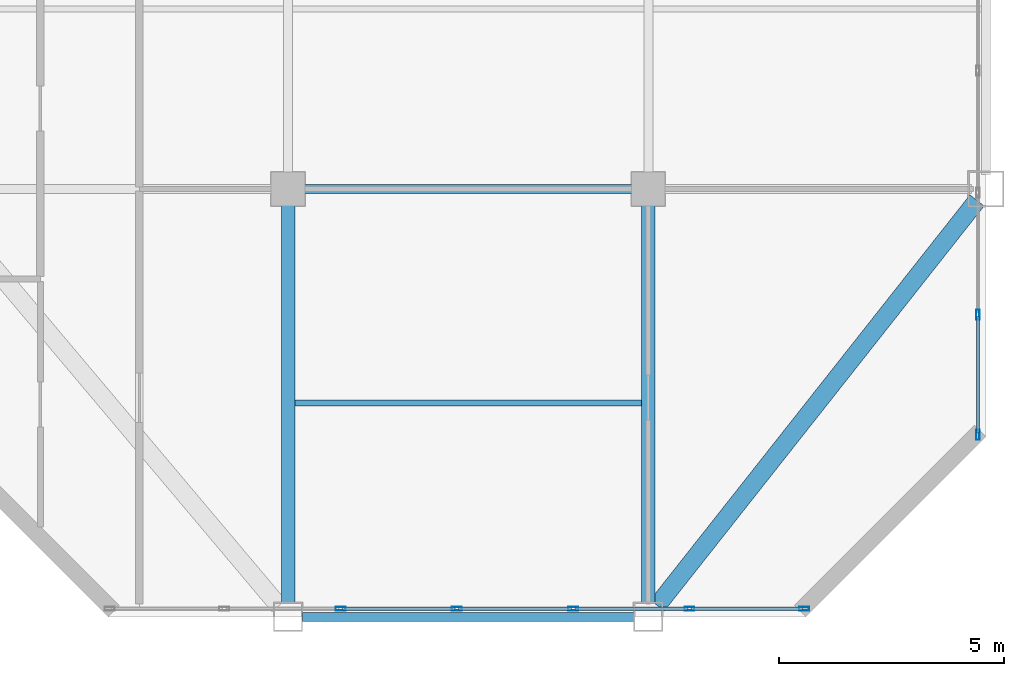
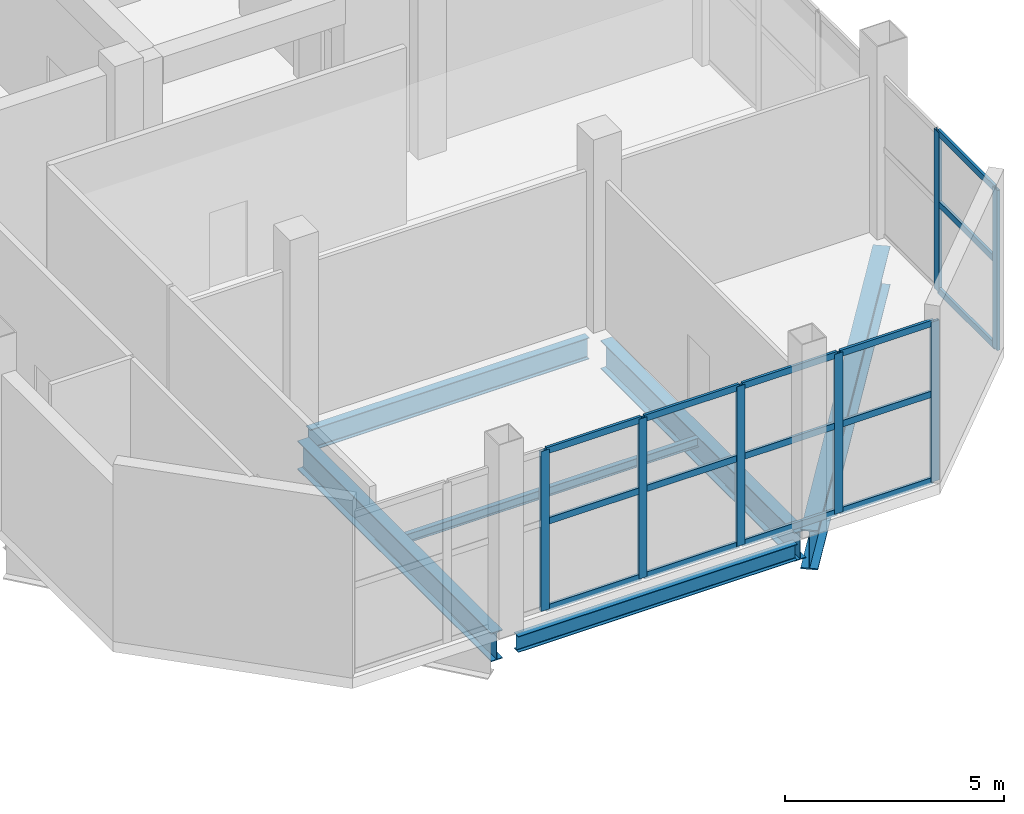
# One storey, part 8 of 16: 22 members, 6 beams, 2 elements without a shape of their own.
"""IFC4 building model written with IfcOpenShell, lengths in metres."""

import ifcopenshell
import ifcopenshell.guid

model = None  # the IFC model being written
_history = None  # IfcOwnerHistory: only IFC2X3 demands one
_inside = {}  # id of a spatial element -> (the spatial element, [elements in it])
_under = {}  # id of a project, library or spatial element -> (it, [spatial elements below it])
_declared = {}  # id of a project -> (the project, [libraries it declares])
_typed = {}  # id of a type object -> (the type object, [elements of that type])
_made_of = {}  # id of a material, layer set ... -> (it, [elements and type objects made of it])


def new_model(schema):
    """Start an empty IFC model of exactly this schema.

    Asked for "IFC4X3", IfcOpenShell would pick the latest addendum, in which some entities
    have other attributes; the version numbers below select the first issue.
    IFC2X3 requires an IfcOwnerHistory on every rooted entity: one is made here for all.
    """
    global model, _history
    if schema == "IFC4X3":
        model = ifcopenshell.file(schema_version=(4, 3, 0, 0))
    else:
        model = ifcopenshell.file(schema=schema)
    _inside.clear()
    _under.clear()
    _declared.clear()
    _typed.clear()
    _made_of.clear()
    _history = None
    if model.schema == "IFC2X3":
        org = make("IfcOrganization", Name="unknown")
        user = make(
            "IfcPersonAndOrganization",
            ThePerson=make("IfcPerson", FamilyName="unknown"),
            TheOrganization=org,
        )
        app = make(
            "IfcApplication",
            ApplicationDeveloper=org,
            Version="unknown",
            ApplicationFullName="unknown",
            ApplicationIdentifier="unknown",
        )
        _history = make(
            "IfcOwnerHistory",
            OwningUser=user,
            OwningApplication=app,
            ChangeAction="ADDED",
            CreationDate=0,
        )
    return model


def make(cls, **values):
    """One entity of the class cls with the attributes given. An attribute that is None is left unset."""
    return model.create_entity(
        cls, **{name: value for name, value in values.items() if value is not None}
    )


def rooted(cls, **values):
    """An entity with a GlobalId (a new one), such as an element, a storey or a relation."""
    return make(cls, GlobalId=ifcopenshell.guid.new(), OwnerHistory=_history, **values)


def si_unit(unit_type, name, prefix=None):
    """IfcSIUnit, for example si_unit("LENGTHUNIT", "METRE", prefix="MILLI")."""
    return make("IfcSIUnit", UnitType=unit_type, Prefix=prefix, Name=name)


def assignment(units):
    """IfcUnitAssignment: the units of a project."""
    return None if units is None else make("IfcUnitAssignment", Units=units)


def point(xyz):
    """IfcCartesianPoint."""
    return None if xyz is None else make("IfcCartesianPoint", Coordinates=xyz)


def direction(xyz):
    """IfcDirection."""
    return None if xyz is None else make("IfcDirection", DirectionRatios=xyz)


def frame(location, z_axis=None, x_axis=None):
    """IfcAxis2Placement3D, a coordinate frame: its origin and axes. An axis left out is left unset."""
    return make(
        "IfcAxis2Placement3D",
        Location=point(location),
        Axis=direction(z_axis),
        RefDirection=direction(x_axis),
    )


def frame_2d(location, x_axis=None):
    """IfcAxis2Placement2D, a coordinate frame in the plane: its origin and x axis."""
    return make(
        "IfcAxis2Placement2D", Location=point(location), RefDirection=direction(x_axis)
    )


def origin():
    """The frame at (0, 0, 0) with its axes left unset."""
    return frame((0.0, 0.0, 0.0))


def origin_2d():
    """The frame at (0, 0) in the plane with its x axis left unset."""
    return frame_2d((0.0, 0.0))


def place(relative_to, where):
    """IfcLocalPlacement: puts the frame where relative to a parent placement (None: the world)."""
    return make(
        "IfcLocalPlacement", PlacementRelTo=relative_to, RelativePlacement=where
    )


def context(
    kind, dimensions, precision=None, world=None, true_north=None, identifier=None
):
    """IfcGeometricRepresentationContext, for example the 3D "Model" context."""
    return make(
        "IfcGeometricRepresentationContext",
        ContextIdentifier=identifier,
        ContextType=kind,
        CoordinateSpaceDimension=dimensions,
        Precision=precision,
        WorldCoordinateSystem=world,
        TrueNorth=true_north,
    )


def subcontext(parent, identifier, kind, view, scale=None):
    """IfcGeometricRepresentationSubContext, for example "Body" below "Model"."""
    return make(
        "IfcGeometricRepresentationSubContext",
        ContextIdentifier=identifier,
        ContextType=kind,
        ParentContext=parent,
        TargetScale=scale,
        TargetView=view,
    )


def project(units=None, contexts=None):
    """IfcProject with its units and contexts."""
    return rooted(
        "IfcProject",
        Name="project",
        RepresentationContexts=contexts,
        UnitsInContext=assignment(units),
    )


def spatial(cls, under=None, at=None, **own):
    """A site, building, storey or space (cls), placed at a placement, below another one or the project."""
    s = rooted(cls, ObjectPlacement=at, **own)
    if under is not None:
        _under.setdefault(under.id(), (under, []))[1].append(s)
    return s


def profile(cls, at=None, kind="AREA", **sizes):
    """A parametric profile (cls). Its sizes go by their IFC names, for example OverallWidth=200.0."""
    return make(cls, ProfileType=kind, Position=at, **sizes)


def hollow_rectangle(**sizes):
    """IfcRectangleHollowProfileDef."""
    return profile("IfcRectangleHollowProfileDef", **sizes)


def i_section(**sizes):
    """IfcIShapeProfileDef."""
    return profile("IfcIShapeProfileDef", **sizes)


def extrude(swept, where, along, depth):
    """IfcExtrudedAreaSolid: the profile swept, set in the frame where, extruded along a direction by depth."""
    return make(
        "IfcExtrudedAreaSolid",
        SweptArea=swept,
        Position=where,
        ExtrudedDirection=direction(along),
        Depth=depth,
    )


def shape(context_of_items, identifier, shape_type, items):
    """IfcShapeRepresentation: the items that make up one representation, for example the "Body"."""
    return make(
        "IfcShapeRepresentation",
        ContextOfItems=context_of_items,
        RepresentationIdentifier=identifier,
        RepresentationType=shape_type,
        Items=items,
    )


def material(Name=None, Category=None):
    """IfcMaterial."""
    return make("IfcMaterial", Name=Name, Category=Category)


def layer(
    of_material, thickness, ventilated=None, Name=None, Category=None, Priority=None
):
    """IfcMaterialLayer: one layer of a wall or slab, of a material (None: an air gap)."""
    return make(
        "IfcMaterialLayer",
        Material=of_material,
        LayerThickness=thickness,
        IsVentilated=ventilated,
        Name=Name,
        Category=Category,
        Priority=Priority,
    )


def layer_set(layers, Name=None):
    """IfcMaterialLayerSet."""
    return make("IfcMaterialLayerSet", MaterialLayers=layers, LayerSetName=Name)


def material_profile(
    of_material, cross_section, Name=None, Category=None, Priority=None
):
    """IfcMaterialProfile: a cross section and its material."""
    return make(
        "IfcMaterialProfile",
        Name=Name,
        Material=of_material,
        Profile=cross_section,
        Priority=Priority,
        Category=Category,
    )


def profile_set(profiles, Name=None, composite=None):
    """IfcMaterialProfileSet."""
    return make(
        "IfcMaterialProfileSet",
        Name=Name,
        MaterialProfiles=profiles,
        CompositeProfile=composite,
    )


def made_of(thing, what):
    """Note that an element or type object is made of a material, layer set ...; save() writes the relation."""
    if what is not None:
        _made_of.setdefault(what.id(), (what, []))[1].append(thing)
    return thing


def type_object(cls, material=None, **own):
    """A type object (cls), such as IfcWallType, which elements share."""
    return made_of(rooted(cls, **own), material)


def element(
    cls,
    number,
    at=None,
    inside=None,
    cuts=None,
    type_object=None,
    material=None,
    context=None,
    identifier="Body",
    shape_type=None,
    held_by="IfcProductDefinitionShape",
    body=None,
    shapes=None,
    **own,
):
    """One element of the class cls, such as IfcWall. Its Tag is "e" and its number.

    at: its placement. inside: the storey or other place that contains it. cuts: it is an
    opening in that element (IfcRelVoidsElement). A single representation is given by context,
    identifier, shape_type and body (its items); several are given by shapes. held_by: the class
    of the entity that holds the representations. save() writes the other relations.
    """
    e = rooted(cls, Tag="e%d" % number, ObjectPlacement=at, **own)
    if body is not None:
        shapes = [shape(context, identifier, shape_type, body)]
    if shapes is not None:
        e.Representation = make(held_by, Representations=shapes)
    if inside is not None:
        _inside.setdefault(inside.id(), (inside, []))[1].append(e)
    if cuts is not None:
        rooted(
            "IfcRelVoidsElement", RelatingBuildingElement=cuts, RelatedOpeningElement=e
        )
    if type_object is not None:
        _typed.setdefault(type_object.id(), (type_object, []))[1].append(e)
    return made_of(e, material)


def aggregate(whole, parts):
    """IfcRelAggregates: a whole, such as a stair, and the parts it consists of."""
    return rooted("IfcRelAggregates", RelatingObject=whole, RelatedObjects=parts)


def save(model, path):
    """Write the relations noted so far, then the file.

    IfcRelAggregates (storeys below a building ...), IfcRelContainedInSpatialStructure (elements
    in a storey), IfcRelDefinesByType, IfcRelAssociatesMaterial and IfcRelDeclares: one each for
    every whole, place, type object, material and project.
    """
    for whole, parts in _under.values():
        aggregate(whole, parts)
    for where, things in _inside.values():
        rooted(
            "IfcRelContainedInSpatialStructure",
            RelatedElements=things,
            RelatingStructure=where,
        )
    for kind, things in _typed.values():
        rooted("IfcRelDefinesByType", RelatedObjects=things, RelatingType=kind)
    for what, things in _made_of.values():
        rooted("IfcRelAssociatesMaterial", RelatedObjects=things, RelatingMaterial=what)
    for by, libraries in _declared.values():
        rooted("IfcRelDeclares", RelatingContext=by, RelatedDefinitions=libraries)
    model.write(path)


model = new_model("IFC4")

# Units and contexts
model_context = context("Model", 3, precision=1e-05, world=origin(), true_north=direction((0.0, 1.0)))
body_context = subcontext(model_context, "Body", "Model", "MODEL_VIEW")
ifc_project = project(units=[si_unit("LENGTHUNIT", "METRE"), si_unit("AREAUNIT", "SQUARE_METRE"), si_unit("VOLUMEUNIT", "CUBIC_METRE"), si_unit("PLANEANGLEUNIT", "RADIAN"), si_unit("MASSUNIT", "GRAM", prefix="KILO")], contexts=[model_context])

# Site, building, storey
site_placement = place(None, origin())
site = spatial("IfcSite", under=ifc_project, at=site_placement, CompositionType="ELEMENT")
building_placement = place(site_placement, origin())
building = spatial("IfcBuilding", under=site, at=building_placement, Name="Qianrong Seaharbour Tower", CompositionType="ELEMENT")
storey_placement = place(building_placement, frame((0.0, 0.0, 378.39990234375)))
storey = spatial("IfcBuildingStorey", under=building, at=storey_placement, Name="L91", CompositionType="ELEMENT", Elevation=378.39990234375)

# Beams
ifc_material_1 = material(Name="Structural steel SN490B", Category="steel")
ifc_material_profile_1 = material_profile(ifc_material_1, i_section(OverallWidth=0.199951171875, OverallDepth=0.60009765625, WebThickness=0.010986328125, FlangeThickness=0.01708984375, FilletRadius=0.02197265625, at=origin_2d()), Name="H600x200x11x17")
ifc_profile_set_1 = profile_set([ifc_material_profile_1], Name="Structural steel SN490B")
beam_type_1 = type_object("IfcBeamType", Name="BM-G-600", PredefinedType="BEAM", material=ifc_profile_set_1)
beam_1_placement = place(storey_placement, frame((48.820068359375, 28.0, -0.58984375), z_axis=(1.0, 0.0, 0.0), x_axis=(0.0, 1.0, 0.0)))
element("IfcBeam", 1, at=beam_1_placement, inside=storey, type_object=beam_type_1, Name="L91 Primary Girder GE G7-G8", PredefinedType="BEAM", context=body_context, shape_type="SweptSolid", body=[
    extrude(i_section(OverallWidth=0.199951171875, OverallDepth=0.60009765625, WebThickness=0.010986328125, FlangeThickness=0.01708984375, FilletRadius=0.02197265625, at=origin_2d()), origin(), (0.0, 0.0, 1.0), 7.35986328125),
])
ifc_material_profile_2 = material_profile(ifc_material_1, i_section(OverallWidth=0.300048828125, OverallDepth=0.800048828125, WebThickness=0.013916015625, FlangeThickness=0.02587890625, FilletRadius=0.028076171875, at=origin_2d()), Name="H800x300x14x26")
ifc_profile_set_2 = profile_set([ifc_material_profile_2], Name="Structural steel SN490B")
beam_type_2 = type_object("IfcBeamType", Name="BM-G-800", PredefinedType="BEAM", material=ifc_profile_set_2)
for number, where, z_axis, x_axis, name in (
    (2, (48.5, 18.820068359375, -0.68994140625), (0.0, 1.0, 0.0), (-1.0, 0.0, 0.0), "L91 Primary Girder G7 GD-GE"),
    (3, (56.5, 18.820068359375, -0.68994140625), (0.0, 1.0, 0.0), (-1.0, 0.0, 0.0), "L91 Primary Girder G8 GD-GE"),
):
    element("IfcBeam", number, at=place(storey_placement, frame(where, z_axis=z_axis, x_axis=x_axis)), inside=storey, type_object=beam_type_2, Name=name, PredefinedType="BEAM", context=body_context, shape_type="SweptSolid", body=[
        extrude(i_section(OverallWidth=0.300048828125, OverallDepth=0.800048828125, WebThickness=0.013916015625, FlangeThickness=0.02587890625, FilletRadius=0.028076171875, at=origin_2d()), origin(), (0.0, 0.0, 1.0), 8.85986328125),
    ])
ifc_material_2 = material(Name="Structural steel SN400B", Category="steel")
ifc_material_profile_3 = material_profile(ifc_material_2, i_section(OverallWidth=0.125, OverallDepth=0.25, WebThickness=0.006103515625, FlangeThickness=0.009033203125, FilletRadius=0.011962890625, at=origin_2d()), Name="H250x125x6x9")
ifc_profile_set_3 = profile_set([ifc_material_profile_3], Name="Structural steel SN400B")
beam_type_3 = type_object("IfcBeamType", Name="BM-J-250", PredefinedType="JOIST", material=ifc_profile_set_3)
beam_2_placement = place(storey_placement, frame((48.64990234375, 23.25, -0.414794921875), z_axis=(1.0, 0.0, 0.0), x_axis=(0.0, 1.0, 0.0)))
element("IfcBeam", 4, at=beam_2_placement, inside=storey, type_object=beam_type_3, Name="L91 Composite Floor Joist G7-G8/GD-GE", PredefinedType="JOIST", context=body_context, shape_type="SweptSolid", body=[
    extrude(i_section(OverallWidth=0.125, OverallDepth=0.25, WebThickness=0.006103515625, FlangeThickness=0.009033203125, FilletRadius=0.011962890625, at=origin_2d()), origin(), (0.0, 0.0, 1.0), 7.7001953125),
])
ifc_material_profile_4 = material_profile(ifc_material_2, i_section(OverallWidth=0.199951171875, OverallDepth=0.449951171875, WebThickness=0.009033203125, FlangeThickness=0.013916015625, FilletRadius=0.01806640625, at=origin_2d()), Name="H450x200x9x14")
ifc_profile_set_4 = profile_set([ifc_material_profile_4], Name="Structural steel SN400B")
beam_type_4 = type_object("IfcBeamType", Name="BM-SP-450", PredefinedType="SPANDREL", material=ifc_profile_set_4)
beam_3_placement = place(storey_placement, frame((48.820068359375, 18.5, -0.514892578125), z_axis=(1.0, 0.0, 0.0), x_axis=(0.0, 1.0, 0.0)))
element("IfcBeam", 5, at=beam_3_placement, inside=storey, type_object=beam_type_4, Name="L91 Spandrel Girder GD G7-G8", PredefinedType="SPANDREL", context=body_context, shape_type="SweptSolid", body=[
    extrude(i_section(OverallWidth=0.199951171875, OverallDepth=0.449951171875, WebThickness=0.009033203125, FlangeThickness=0.013916015625, FilletRadius=0.01806640625, at=origin_2d()), origin(), (0.0, 0.0, 1.0), 7.35986328125),
])
ifc_material_profile_5 = material_profile(ifc_material_1, i_section(OverallWidth=0.39990234375, OverallDepth=1.10009765625, WebThickness=0.02001953125, FlangeThickness=0.035888671875, at=origin_2d()), Name="BH1100x400x20x36")
ifc_profile_set_5 = profile_set([ifc_material_profile_5], Name="Structural steel SN490B")
beam_type_5 = type_object("IfcBeamType", Name="BM-TG-1100", PredefinedType="BEAM", material=ifc_profile_set_5)
beam_4_placement = place(storey_placement, frame((56.6982421875, 18.751220703125, -0.83984375), z_axis=(0.619653955715, 0.784875133487, 0.0), x_axis=(-0.784875133487, 0.619653955715, 0.0)))
element("IfcBeam", 6, at=beam_4_placement, inside=storey, type_object=beam_type_5, Name="L91 Chamfer Corner Spandrel Girder G9/GD", PredefinedType="BEAM", context=body_context, shape_type="SweptSolid", body=[
    extrude(i_section(OverallWidth=0.39990234375, OverallDepth=1.10009765625, WebThickness=0.02001953125, FlangeThickness=0.035888671875, at=origin_2d()), origin(), (0.0, 0.0, 1.0), 11.463623046875),
])

# Curtain wall, members
ifc_material_3 = material(Name="Anodised aluminium 6063-T6 and laminated low-e glass", Category="aluminium")
ifc_layer = layer(ifc_material_3, 0.239990234375)
ifc_layer_set = layer_set([ifc_layer], Name="Anodised aluminium 6063-T6 and laminated low-e glass")
curtain_wall_type = type_object("IfcCurtainWallType", Name="CW-SYS-6", PredefinedType="NOTDEFINED", material=ifc_layer_set)
curtain_wall_1_placement = place(storey_placement, origin())
curtain_wall_1 = element("IfcCurtainWall", 7, at=curtain_wall_1_placement, inside=storey, type_object=curtain_wall_type, Name="L91 TMD Exhibition Lantern Translucent Curtain Wall EAST_WING", PredefinedType="NOTDEFINED")
ifc_material_4 = material(Name="Extruded aluminium 6063-T6", Category="aluminium")
ifc_material_profile_6 = material_profile(ifc_material_4, hollow_rectangle(XDim=0.080078125, YDim=0.219970703125, WallThickness=0.0048828125, at=origin_2d()), Name="ALU-MUL-220x80x5")
ifc_profile_set_6 = profile_set([ifc_material_profile_6], Name="Extruded aluminium 6063-T6")
member_type_1 = type_object("IfcMemberType", Name="CW-MUL-220", PredefinedType="MULLION", material=ifc_profile_set_6)
member_1_placement = place(storey_placement, frame((63.820068359375, 25.2099609375, 0.0), z_axis=(0.0, 0.0, 1.0), x_axis=(1.0, 0.0, 0.0)))
member_1 = element("IfcMember", 8, at=member_1_placement, type_object=member_type_1, Name="CW-6 mullion 5", PredefinedType="MULLION", context=body_context, shape_type="SweptSolid", body=[
    extrude(hollow_rectangle(XDim=0.080078125, YDim=0.219970703125, WallThickness=0.0048828125, at=origin_2d()), origin(), (0.0, 0.0, 1.0), 4.460205078125),
])
member_2_placement = place(storey_placement, frame((63.820068359375, 22.5400390625, 0.0), z_axis=(0.0, 0.0, 1.0), x_axis=(1.0, 0.0, 0.0)))
member_2 = element("IfcMember", 9, at=member_2_placement, type_object=member_type_1, Name="CW-6 mullion 6", PredefinedType="MULLION", context=body_context, shape_type="SweptSolid", body=[
    extrude(hollow_rectangle(XDim=0.080078125, YDim=0.219970703125, WallThickness=0.0048828125, at=origin_2d()), origin(), (0.0, 0.0, 1.0), 4.460205078125),
])

curtain_wall_2_placement = place(storey_placement, origin())
curtain_wall_2 = element("IfcCurtainWall", 10, at=curtain_wall_2_placement, inside=storey, type_object=curtain_wall_type, Name="L91 TMD Exhibition Lantern Translucent Curtain Wall SOUTH_TIP", PredefinedType="NOTDEFINED")
member_3_placement = place(storey_placement, frame((59.9599609375, 18.679931640625, 0.0), z_axis=(0.0, 0.0, 1.0), x_axis=(0.0, -1.0, 0.0)))
member_3 = element("IfcMember", 11, at=member_3_placement, type_object=member_type_1, Name="CW-6 mullion 1", PredefinedType="MULLION", context=body_context, shape_type="SweptSolid", body=[
    extrude(hollow_rectangle(XDim=0.080078125, YDim=0.219970703125, WallThickness=0.0048828125, at=origin_2d()), origin(), (0.0, 0.0, 1.0), 4.460205078125),
])
member_4_placement = place(storey_placement, frame((57.416748046875, 18.679931640625, 0.0), z_axis=(0.0, 0.0, 1.0), x_axis=(0.0, -1.0, 0.0)))
member_4 = element("IfcMember", 12, at=member_4_placement, type_object=member_type_1, Name="CW-6 mullion 2", PredefinedType="MULLION", context=body_context, shape_type="SweptSolid", body=[
    extrude(hollow_rectangle(XDim=0.080078125, YDim=0.219970703125, WallThickness=0.0048828125, at=origin_2d()), origin(), (0.0, 0.0, 1.0), 4.460205078125),
])
member_5_placement = place(storey_placement, frame((54.833251953125, 18.679931640625, 0.0), z_axis=(0.0, 0.0, 1.0), x_axis=(0.0, -1.0, 0.0)))
member_5 = element("IfcMember", 13, at=member_5_placement, type_object=member_type_1, Name="CW-6 mullion 3", PredefinedType="MULLION", context=body_context, shape_type="SweptSolid", body=[
    extrude(hollow_rectangle(XDim=0.080078125, YDim=0.219970703125, WallThickness=0.0048828125, at=origin_2d()), origin(), (0.0, 0.0, 1.0), 4.460205078125),
])
member_6_placement = place(storey_placement, frame((52.25, 18.679931640625, 0.0), z_axis=(0.0, 0.0, 1.0), x_axis=(0.0, -1.0, 0.0)))
member_6 = element("IfcMember", 14, at=member_6_placement, type_object=member_type_1, Name="CW-6 mullion 4", PredefinedType="MULLION", context=body_context, shape_type="SweptSolid", body=[
    extrude(hollow_rectangle(XDim=0.080078125, YDim=0.219970703125, WallThickness=0.0048828125, at=origin_2d()), origin(), (0.0, 0.0, 1.0), 4.460205078125),
])
member_7_placement = place(storey_placement, frame((49.666748046875, 18.679931640625, 0.0), z_axis=(0.0, 0.0, 1.0), x_axis=(0.0, -1.0, 0.0)))
member_7 = element("IfcMember", 15, at=member_7_placement, type_object=member_type_1, Name="CW-6 mullion 5", PredefinedType="MULLION", context=body_context, shape_type="SweptSolid", body=[
    extrude(hollow_rectangle(XDim=0.080078125, YDim=0.219970703125, WallThickness=0.0048828125, at=origin_2d()), origin(), (0.0, 0.0, 1.0), 4.460205078125),
])

# Member
ifc_material_profile_7 = material_profile(ifc_material_4, hollow_rectangle(XDim=0.070068359375, YDim=0.179931640625, WallThickness=0.00390625, at=origin_2d()), Name="ALU-TRN-180x70x4")
ifc_profile_set_7 = profile_set([ifc_material_profile_7], Name="Extruded aluminium 6063-T6")
member_type_2 = type_object("IfcMemberType", Name="CW-TRN-180", PredefinedType="USERDEFINED", material=ifc_profile_set_7)
member_8_placement = place(storey_placement, frame((63.820068359375, 25.169921875, 0.03515625), z_axis=(0.0, -1.0, 0.0), x_axis=(1.0, 0.0, 0.0)))
member_8 = element("IfcMember", 16, at=member_8_placement, type_object=member_type_2, Name="CW-6 transom 5.1", ObjectType="TRANSOM", PredefinedType="USERDEFINED", context=body_context, shape_type="SweptSolid", body=[
    extrude(hollow_rectangle(XDim=0.070068359375, YDim=0.179931640625, WallThickness=0.00390625, at=origin_2d()), origin(), (0.0, 0.0, 1.0), 2.58984375),
])

member_9_placement = place(storey_placement, frame((63.820068359375, 25.169921875, 2.453125), z_axis=(0.0, -1.0, 0.0), x_axis=(1.0, 0.0, 0.0)))
member_9 = element("IfcMember", 17, at=member_9_placement, type_object=member_type_2, Name="CW-6 transom 5.2", ObjectType="TRANSOM", PredefinedType="USERDEFINED", context=body_context, shape_type="SweptSolid", body=[
    extrude(hollow_rectangle(XDim=0.070068359375, YDim=0.179931640625, WallThickness=0.00390625, at=origin_2d()), origin(), (0.0, 0.0, 1.0), 2.58984375),
])

member_10_placement = place(storey_placement, frame((63.820068359375, 25.169921875, 4.425048828125), z_axis=(0.0, -1.0, 0.0), x_axis=(1.0, 0.0, 0.0)))
member_10 = element("IfcMember", 18, at=member_10_placement, type_object=member_type_2, Name="CW-6 transom 5.3", ObjectType="TRANSOM", PredefinedType="USERDEFINED", context=body_context, shape_type="SweptSolid", body=[
    extrude(hollow_rectangle(XDim=0.070068359375, YDim=0.179931640625, WallThickness=0.00390625, at=origin_2d()), origin(), (0.0, 0.0, 1.0), 2.58984375),
])

aggregate(curtain_wall_1, [member_1, member_2, member_8, member_9, member_10])

member_11_placement = place(storey_placement, frame((59.919921875, 18.679931640625, 0.03515625), z_axis=(-1.0, 0.0, 0.0), x_axis=(0.0, -1.0, 0.0)))
member_11 = element("IfcMember", 19, at=member_11_placement, type_object=member_type_2, Name="CW-6 transom 1.1", ObjectType="TRANSOM", PredefinedType="USERDEFINED", context=body_context, shape_type="SweptSolid", body=[
    extrude(hollow_rectangle(XDim=0.070068359375, YDim=0.179931640625, WallThickness=0.00390625, at=origin_2d()), origin(), (0.0, 0.0, 1.0), 2.463134765625),
])

member_12_placement = place(storey_placement, frame((59.919921875, 18.679931640625, 2.453125), z_axis=(-1.0, 0.0, 0.0), x_axis=(0.0, -1.0, 0.0)))
member_12 = element("IfcMember", 20, at=member_12_placement, type_object=member_type_2, Name="CW-6 transom 1.2", ObjectType="TRANSOM", PredefinedType="USERDEFINED", context=body_context, shape_type="SweptSolid", body=[
    extrude(hollow_rectangle(XDim=0.070068359375, YDim=0.179931640625, WallThickness=0.00390625, at=origin_2d()), origin(), (0.0, 0.0, 1.0), 2.463134765625),
])

member_13_placement = place(storey_placement, frame((59.919921875, 18.679931640625, 4.425048828125), z_axis=(-1.0, 0.0, 0.0), x_axis=(0.0, -1.0, 0.0)))
member_13 = element("IfcMember", 21, at=member_13_placement, type_object=member_type_2, Name="CW-6 transom 1.3", ObjectType="TRANSOM", PredefinedType="USERDEFINED", context=body_context, shape_type="SweptSolid", body=[
    extrude(hollow_rectangle(XDim=0.070068359375, YDim=0.179931640625, WallThickness=0.00390625, at=origin_2d()), origin(), (0.0, 0.0, 1.0), 2.463134765625),
])

member_14_placement = place(storey_placement, frame((57.376708984375, 18.679931640625, 0.03515625), z_axis=(-1.0, 0.0, 0.0), x_axis=(0.0, -1.0, 0.0)))
member_14 = element("IfcMember", 22, at=member_14_placement, type_object=member_type_2, Name="CW-6 transom 2.1", ObjectType="TRANSOM", PredefinedType="USERDEFINED", context=body_context, shape_type="SweptSolid", body=[
    extrude(hollow_rectangle(XDim=0.070068359375, YDim=0.179931640625, WallThickness=0.00390625, at=origin_2d()), origin(), (0.0, 0.0, 1.0), 2.50341796875),
])

member_15_placement = place(storey_placement, frame((57.376708984375, 18.679931640625, 2.453125), z_axis=(-1.0, 0.0, 0.0), x_axis=(0.0, -1.0, 0.0)))
member_15 = element("IfcMember", 23, at=member_15_placement, type_object=member_type_2, Name="CW-6 transom 2.2", ObjectType="TRANSOM", PredefinedType="USERDEFINED", context=body_context, shape_type="SweptSolid", body=[
    extrude(hollow_rectangle(XDim=0.070068359375, YDim=0.179931640625, WallThickness=0.00390625, at=origin_2d()), origin(), (0.0, 0.0, 1.0), 2.50341796875),
])

member_16_placement = place(storey_placement, frame((57.376708984375, 18.679931640625, 4.425048828125), z_axis=(-1.0, 0.0, 0.0), x_axis=(0.0, -1.0, 0.0)))
member_16 = element("IfcMember", 24, at=member_16_placement, type_object=member_type_2, Name="CW-6 transom 2.3", ObjectType="TRANSOM", PredefinedType="USERDEFINED", context=body_context, shape_type="SweptSolid", body=[
    extrude(hollow_rectangle(XDim=0.070068359375, YDim=0.179931640625, WallThickness=0.00390625, at=origin_2d()), origin(), (0.0, 0.0, 1.0), 2.50341796875),
])

member_17_placement = place(storey_placement, frame((54.793212890625, 18.679931640625, 0.03515625), z_axis=(-1.0, 0.0, 0.0), x_axis=(0.0, -1.0, 0.0)))
member_17 = element("IfcMember", 25, at=member_17_placement, type_object=member_type_2, Name="CW-6 transom 3.1", ObjectType="TRANSOM", PredefinedType="USERDEFINED", context=body_context, shape_type="SweptSolid", body=[
    extrude(hollow_rectangle(XDim=0.070068359375, YDim=0.179931640625, WallThickness=0.00390625, at=origin_2d()), origin(), (0.0, 0.0, 1.0), 2.503173828125),
])

member_18_placement = place(storey_placement, frame((54.793212890625, 18.679931640625, 2.453125), z_axis=(-1.0, 0.0, 0.0), x_axis=(0.0, -1.0, 0.0)))
member_18 = element("IfcMember", 26, at=member_18_placement, type_object=member_type_2, Name="CW-6 transom 3.2", ObjectType="TRANSOM", PredefinedType="USERDEFINED", context=body_context, shape_type="SweptSolid", body=[
    extrude(hollow_rectangle(XDim=0.070068359375, YDim=0.179931640625, WallThickness=0.00390625, at=origin_2d()), origin(), (0.0, 0.0, 1.0), 2.503173828125),
])

member_19_placement = place(storey_placement, frame((54.793212890625, 18.679931640625, 4.425048828125), z_axis=(-1.0, 0.0, 0.0), x_axis=(0.0, -1.0, 0.0)))
member_19 = element("IfcMember", 27, at=member_19_placement, type_object=member_type_2, Name="CW-6 transom 3.3", ObjectType="TRANSOM", PredefinedType="USERDEFINED", context=body_context, shape_type="SweptSolid", body=[
    extrude(hollow_rectangle(XDim=0.070068359375, YDim=0.179931640625, WallThickness=0.00390625, at=origin_2d()), origin(), (0.0, 0.0, 1.0), 2.503173828125),
])

member_20_placement = place(storey_placement, frame((52.2099609375, 18.679931640625, 0.03515625), z_axis=(-1.0, 0.0, 0.0), x_axis=(0.0, -1.0, 0.0)))
member_20 = element("IfcMember", 28, at=member_20_placement, type_object=member_type_2, Name="CW-6 transom 4.1", ObjectType="TRANSOM", PredefinedType="USERDEFINED", context=body_context, shape_type="SweptSolid", body=[
    extrude(hollow_rectangle(XDim=0.070068359375, YDim=0.179931640625, WallThickness=0.00390625, at=origin_2d()), origin(), (0.0, 0.0, 1.0), 2.503173828125),
])

member_21_placement = place(storey_placement, frame((52.2099609375, 18.679931640625, 2.453125), z_axis=(-1.0, 0.0, 0.0), x_axis=(0.0, -1.0, 0.0)))
member_21 = element("IfcMember", 29, at=member_21_placement, type_object=member_type_2, Name="CW-6 transom 4.2", ObjectType="TRANSOM", PredefinedType="USERDEFINED", context=body_context, shape_type="SweptSolid", body=[
    extrude(hollow_rectangle(XDim=0.070068359375, YDim=0.179931640625, WallThickness=0.00390625, at=origin_2d()), origin(), (0.0, 0.0, 1.0), 2.503173828125),
])

member_22_placement = place(storey_placement, frame((52.2099609375, 18.679931640625, 4.425048828125), z_axis=(-1.0, 0.0, 0.0), x_axis=(0.0, -1.0, 0.0)))
member_22 = element("IfcMember", 30, at=member_22_placement, type_object=member_type_2, Name="CW-6 transom 4.3", ObjectType="TRANSOM", PredefinedType="USERDEFINED", context=body_context, shape_type="SweptSolid", body=[
    extrude(hollow_rectangle(XDim=0.070068359375, YDim=0.179931640625, WallThickness=0.00390625, at=origin_2d()), origin(), (0.0, 0.0, 1.0), 2.503173828125),
])

aggregate(curtain_wall_2, [member_3, member_4, member_5, member_6, member_7, member_11, member_12, member_13, member_14, member_15, member_16, member_17, member_18, member_19, member_20, member_21, member_22])

save(model, "model.ifc")
